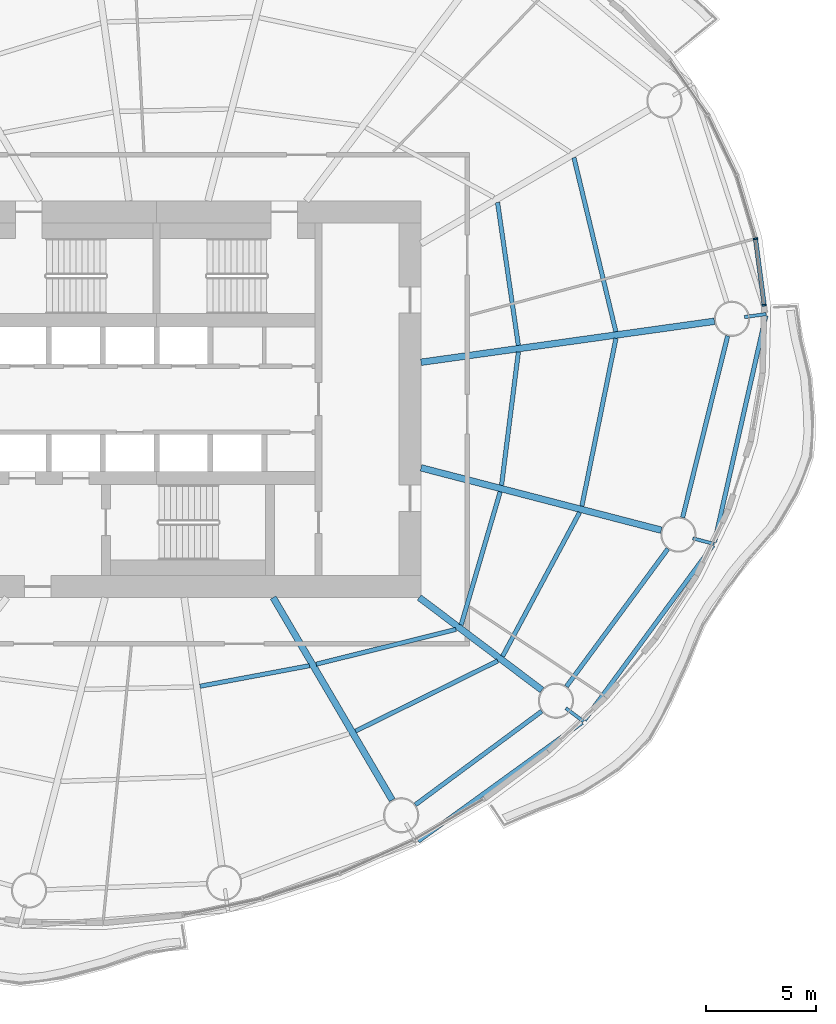
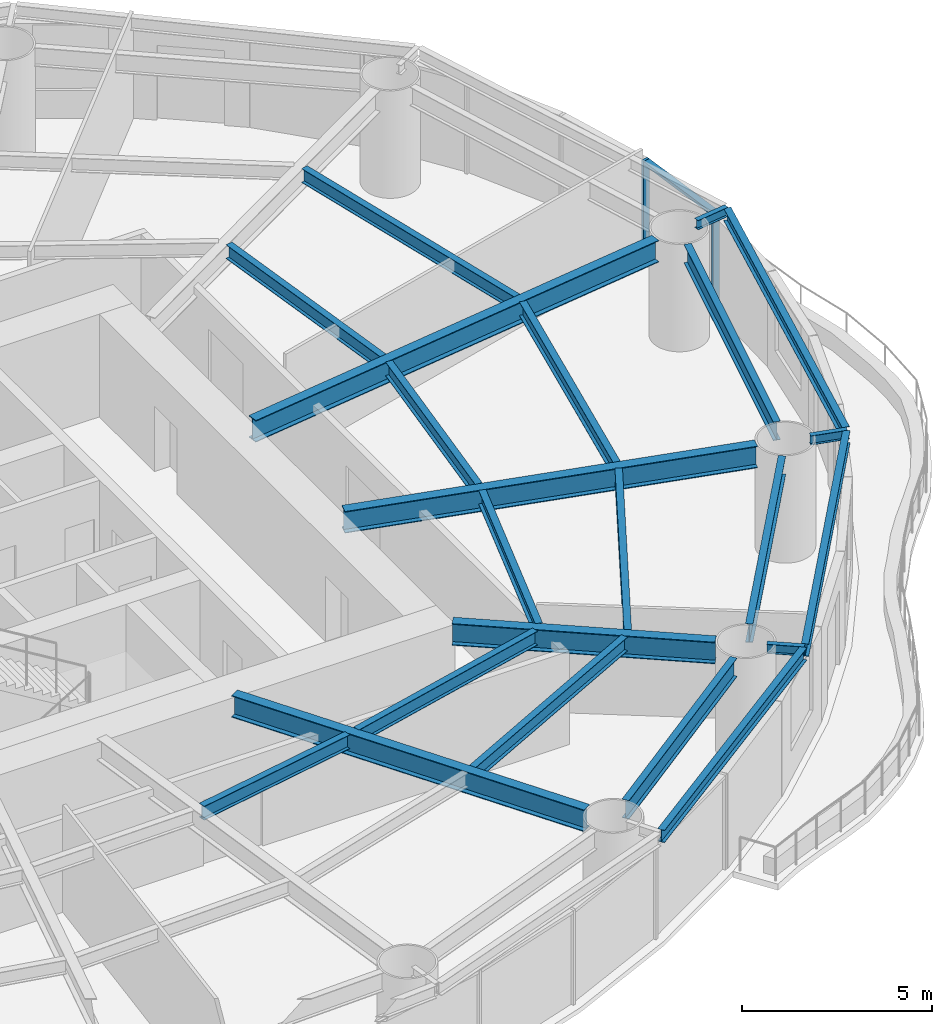
# One storey, part 4 of 14: 22 beams, 3 members, 2 elements without a shape of their own.
"""IFC4 building model written with IfcOpenShell, lengths in metres."""

import ifcopenshell
import ifcopenshell.guid

model = None  # the IFC model being written
_history = None  # IfcOwnerHistory: only IFC2X3 demands one
_inside = {}  # id of a spatial element -> (the spatial element, [elements in it])
_under = {}  # id of a project, library or spatial element -> (it, [spatial elements below it])
_declared = {}  # id of a project -> (the project, [libraries it declares])
_typed = {}  # id of a type object -> (the type object, [elements of that type])
_made_of = {}  # id of a material, layer set ... -> (it, [elements and type objects made of it])


def new_model(schema):
    """Start an empty IFC model of exactly this schema.

    Asked for "IFC4X3", IfcOpenShell would pick the latest addendum, in which some entities
    have other attributes; the version numbers below select the first issue.
    IFC2X3 requires an IfcOwnerHistory on every rooted entity: one is made here for all.
    """
    global model, _history
    if schema == "IFC4X3":
        model = ifcopenshell.file(schema_version=(4, 3, 0, 0))
    else:
        model = ifcopenshell.file(schema=schema)
    _inside.clear()
    _under.clear()
    _declared.clear()
    _typed.clear()
    _made_of.clear()
    _history = None
    if model.schema == "IFC2X3":
        org = make("IfcOrganization", Name="unknown")
        user = make(
            "IfcPersonAndOrganization",
            ThePerson=make("IfcPerson", FamilyName="unknown"),
            TheOrganization=org,
        )
        app = make(
            "IfcApplication",
            ApplicationDeveloper=org,
            Version="unknown",
            ApplicationFullName="unknown",
            ApplicationIdentifier="unknown",
        )
        _history = make(
            "IfcOwnerHistory",
            OwningUser=user,
            OwningApplication=app,
            ChangeAction="ADDED",
            CreationDate=0,
        )
    return model


def make(cls, **values):
    """One entity of the class cls with the attributes given. An attribute that is None is left unset."""
    return model.create_entity(
        cls, **{name: value for name, value in values.items() if value is not None}
    )


def rooted(cls, **values):
    """An entity with a GlobalId (a new one), such as an element, a storey or a relation."""
    return make(cls, GlobalId=ifcopenshell.guid.new(), OwnerHistory=_history, **values)


def si_unit(unit_type, name, prefix=None):
    """IfcSIUnit, for example si_unit("LENGTHUNIT", "METRE", prefix="MILLI")."""
    return make("IfcSIUnit", UnitType=unit_type, Prefix=prefix, Name=name)


def assignment(units):
    """IfcUnitAssignment: the units of a project."""
    return None if units is None else make("IfcUnitAssignment", Units=units)


def point(xyz):
    """IfcCartesianPoint."""
    return None if xyz is None else make("IfcCartesianPoint", Coordinates=xyz)


def direction(xyz):
    """IfcDirection."""
    return None if xyz is None else make("IfcDirection", DirectionRatios=xyz)


def frame(location, z_axis=None, x_axis=None):
    """IfcAxis2Placement3D, a coordinate frame: its origin and axes. An axis left out is left unset."""
    return make(
        "IfcAxis2Placement3D",
        Location=point(location),
        Axis=direction(z_axis),
        RefDirection=direction(x_axis),
    )


def frame_2d(location, x_axis=None):
    """IfcAxis2Placement2D, a coordinate frame in the plane: its origin and x axis."""
    return make(
        "IfcAxis2Placement2D", Location=point(location), RefDirection=direction(x_axis)
    )


def origin():
    """The frame at (0, 0, 0) with its axes left unset."""
    return frame((0.0, 0.0, 0.0))


def origin_2d():
    """The frame at (0, 0) in the plane with its x axis left unset."""
    return frame_2d((0.0, 0.0))


def place(relative_to, where):
    """IfcLocalPlacement: puts the frame where relative to a parent placement (None: the world)."""
    return make(
        "IfcLocalPlacement", PlacementRelTo=relative_to, RelativePlacement=where
    )


def context(
    kind, dimensions, precision=None, world=None, true_north=None, identifier=None
):
    """IfcGeometricRepresentationContext, for example the 3D "Model" context."""
    return make(
        "IfcGeometricRepresentationContext",
        ContextIdentifier=identifier,
        ContextType=kind,
        CoordinateSpaceDimension=dimensions,
        Precision=precision,
        WorldCoordinateSystem=world,
        TrueNorth=true_north,
    )


def subcontext(parent, identifier, kind, view, scale=None):
    """IfcGeometricRepresentationSubContext, for example "Body" below "Model"."""
    return make(
        "IfcGeometricRepresentationSubContext",
        ContextIdentifier=identifier,
        ContextType=kind,
        ParentContext=parent,
        TargetScale=scale,
        TargetView=view,
    )


def project(units=None, contexts=None):
    """IfcProject with its units and contexts."""
    return rooted(
        "IfcProject",
        Name="project",
        RepresentationContexts=contexts,
        UnitsInContext=assignment(units),
    )


def spatial(cls, under=None, at=None, **own):
    """A site, building, storey or space (cls), placed at a placement, below another one or the project."""
    s = rooted(cls, ObjectPlacement=at, **own)
    if under is not None:
        _under.setdefault(under.id(), (under, []))[1].append(s)
    return s


def profile(cls, at=None, kind="AREA", **sizes):
    """A parametric profile (cls). Its sizes go by their IFC names, for example OverallWidth=200.0."""
    return make(cls, ProfileType=kind, Position=at, **sizes)


def rectangle(**sizes):
    """IfcRectangleProfileDef."""
    return profile("IfcRectangleProfileDef", **sizes)


def i_section(**sizes):
    """IfcIShapeProfileDef."""
    return profile("IfcIShapeProfileDef", **sizes)


def extrude(swept, where, along, depth):
    """IfcExtrudedAreaSolid: the profile swept, set in the frame where, extruded along a direction by depth."""
    return make(
        "IfcExtrudedAreaSolid",
        SweptArea=swept,
        Position=where,
        ExtrudedDirection=direction(along),
        Depth=depth,
    )


def shape(context_of_items, identifier, shape_type, items):
    """IfcShapeRepresentation: the items that make up one representation, for example the "Body"."""
    return make(
        "IfcShapeRepresentation",
        ContextOfItems=context_of_items,
        RepresentationIdentifier=identifier,
        RepresentationType=shape_type,
        Items=items,
    )


def material(Name=None, Category=None):
    """IfcMaterial."""
    return make("IfcMaterial", Name=Name, Category=Category)


def material_profile(
    of_material, cross_section, Name=None, Category=None, Priority=None
):
    """IfcMaterialProfile: a cross section and its material."""
    return make(
        "IfcMaterialProfile",
        Name=Name,
        Material=of_material,
        Profile=cross_section,
        Priority=Priority,
        Category=Category,
    )


def profile_set(profiles, Name=None, composite=None):
    """IfcMaterialProfileSet."""
    return make(
        "IfcMaterialProfileSet",
        Name=Name,
        MaterialProfiles=profiles,
        CompositeProfile=composite,
    )


def made_of(thing, what):
    """Note that an element or type object is made of a material, layer set ...; save() writes the relation."""
    if what is not None:
        _made_of.setdefault(what.id(), (what, []))[1].append(thing)
    return thing


def type_object(cls, material=None, **own):
    """A type object (cls), such as IfcWallType, which elements share."""
    return made_of(rooted(cls, **own), material)


def element(
    cls,
    number,
    at=None,
    inside=None,
    cuts=None,
    type_object=None,
    material=None,
    context=None,
    identifier="Body",
    shape_type=None,
    held_by="IfcProductDefinitionShape",
    body=None,
    shapes=None,
    **own,
):
    """One element of the class cls, such as IfcWall. Its Tag is "e" and its number.

    at: its placement. inside: the storey or other place that contains it. cuts: it is an
    opening in that element (IfcRelVoidsElement). A single representation is given by context,
    identifier, shape_type and body (its items); several are given by shapes. held_by: the class
    of the entity that holds the representations. save() writes the other relations.
    """
    e = rooted(cls, Tag="e%d" % number, ObjectPlacement=at, **own)
    if body is not None:
        shapes = [shape(context, identifier, shape_type, body)]
    if shapes is not None:
        e.Representation = make(held_by, Representations=shapes)
    if inside is not None:
        _inside.setdefault(inside.id(), (inside, []))[1].append(e)
    if cuts is not None:
        rooted(
            "IfcRelVoidsElement", RelatingBuildingElement=cuts, RelatedOpeningElement=e
        )
    if type_object is not None:
        _typed.setdefault(type_object.id(), (type_object, []))[1].append(e)
    return made_of(e, material)


def aggregate(whole, parts):
    """IfcRelAggregates: a whole, such as a stair, and the parts it consists of."""
    return rooted("IfcRelAggregates", RelatingObject=whole, RelatedObjects=parts)


def save(model, path):
    """Write the relations noted so far, then the file.

    IfcRelAggregates (storeys below a building ...), IfcRelContainedInSpatialStructure (elements
    in a storey), IfcRelDefinesByType, IfcRelAssociatesMaterial and IfcRelDeclares: one each for
    every whole, place, type object, material and project.
    """
    for whole, parts in _under.values():
        aggregate(whole, parts)
    for where, things in _inside.values():
        rooted(
            "IfcRelContainedInSpatialStructure",
            RelatedElements=things,
            RelatingStructure=where,
        )
    for kind, things in _typed.values():
        rooted("IfcRelDefinesByType", RelatedObjects=things, RelatingType=kind)
    for what, things in _made_of.values():
        rooted("IfcRelAssociatesMaterial", RelatedObjects=things, RelatingMaterial=what)
    for by, libraries in _declared.values():
        rooted("IfcRelDeclares", RelatingContext=by, RelatedDefinitions=libraries)
    model.write(path)


model = new_model("IFC4")

# Units and contexts
model_context = context("Model", 3, precision=1e-05, world=origin(), true_north=direction((0.0, 1.0)))
body_context = subcontext(model_context, "Body", "Model", "MODEL_VIEW")
ifc_project = project(units=[si_unit("LENGTHUNIT", "METRE"), si_unit("AREAUNIT", "SQUARE_METRE"), si_unit("VOLUMEUNIT", "CUBIC_METRE"), si_unit("PLANEANGLEUNIT", "RADIAN"), si_unit("MASSUNIT", "GRAM", prefix="KILO")], contexts=[model_context])

# Site, building, storey
site_placement = place(None, origin())
site = spatial("IfcSite", under=ifc_project, at=site_placement, CompositionType="ELEMENT")
building_placement = place(site_placement, origin())
building = spatial("IfcBuilding", under=site, at=building_placement, Name="Vermilion Reach Broadcast Tower", CompositionType="ELEMENT")
storey_placement = place(building_placement, frame((0.0, 0.0, 117.39990234375)))
storey = spatial("IfcBuildingStorey", under=building, at=storey_placement, Name="L27", CompositionType="ELEMENT", Elevation=117.39990234375)

# Beams
ifc_material_1 = material(Name="Steel S355J2", Category="steel")
ifc_material_profile_1 = material_profile(ifc_material_1, i_section(OverallWidth=0.199951171875, OverallDepth=0.39990234375, WebThickness=0.008056640625, FlangeThickness=0.012939453125, at=origin_2d()), Name="S355J2 HN 400x200x8x13")
ifc_profile_set_1 = profile_set([ifc_material_profile_1], Name="Steel S355J2")
beam_type_1 = type_object("IfcBeamType", Name="EB2 HN 400x200x8x13", PredefinedType="BEAM", material=ifc_profile_set_1)
beam_1_placement = place(storey_placement, frame((5.874755859375, -20.051513671875, 3.25), z_axis=(0.810003127227, 0.586425556983, 0.0), x_axis=(-0.586425556983, 0.810003127227, 0.0)))
element("IfcBeam", 1, at=beam_1_placement, inside=storey, type_object=beam_type_1, Name="Edge beam EB2-13", PredefinedType="BEAM", context=body_context, shape_type="SweptSolid", body=[
    extrude(i_section(OverallWidth=0.199951171875, OverallDepth=0.39990234375, WebThickness=0.008056640625, FlangeThickness=0.012939453125, at=origin_2d()), origin(), (0.0, 0.0, 1.0), 9.177001953125),
])
beam_2_placement = place(storey_placement, frame((13.416015625, -14.563720703125, 3.25), z_axis=(0.59256035005, 0.805526058888, 0.0), x_axis=(-0.805526058888, 0.59256035005, 0.0)))
element("IfcBeam", 2, at=beam_2_placement, inside=storey, type_object=beam_type_1, Name="Edge beam EB2-14", PredefinedType="BEAM", context=body_context, shape_type="SweptSolid", body=[
    extrude(i_section(OverallWidth=0.199951171875, OverallDepth=0.39990234375, WebThickness=0.008056640625, FlangeThickness=0.012939453125, at=origin_2d()), origin(), (0.0, 0.0, 1.0), 9.847412109375),
])
beam_3_placement = place(storey_placement, frame((19.315673828125, -6.4931640625, 3.25), z_axis=(0.221220599135, 0.975223793044, 0.0), x_axis=(-0.975223793044, 0.221220599135, 0.0)))
element("IfcBeam", 3, at=beam_3_placement, inside=storey, type_object=beam_type_1, Name="Edge beam EB2-15", PredefinedType="BEAM", context=body_context, shape_type="SweptSolid", body=[
    extrude(i_section(OverallWidth=0.199951171875, OverallDepth=0.39990234375, WebThickness=0.008056640625, FlangeThickness=0.012939453125, at=origin_2d()), origin(), (0.0, 0.0, 1.0), 10.53955078125),
])
ifc_material_2 = material(Name="Steel S355J2", Category="steel")
ifc_material_profile_2 = material_profile(ifc_material_2, i_section(OverallWidth=0.300048828125, OverallDepth=0.699951171875, WebThickness=0.012939453125, FlangeThickness=0.02392578125, at=origin_2d()), Name="S355J2 HN 700x300x13x24")
ifc_profile_set_2 = profile_set([ifc_material_profile_2], Name="Steel S355J2")
beam_type_2 = type_object("IfcBeamType", Name="G2 HN 700x300x13x24", PredefinedType="BEAM", material=ifc_profile_set_2)
beam_4_placement = place(storey_placement, frame((-0.709228515625, -9.0, 3.10009765625), z_axis=(0.506783943634, -0.862073102744, 0.0), x_axis=(0.862073102744, 0.506783943634, 0.0)))
element("IfcBeam", 4, at=beam_4_placement, inside=storey, type_object=beam_type_2, Name="Girder G2-13", PredefinedType="BEAM", context=body_context, shape_type="SweptSolid", body=[
    extrude(i_section(OverallWidth=0.300048828125, OverallDepth=0.699951171875, WebThickness=0.012939453125, FlangeThickness=0.02392578125, at=origin_2d()), origin(), (0.0, 0.0, 1.0), 10.661865234375),
])
beam_5_placement = place(storey_placement, frame((5.921630859375, -9.0, 3.10009765625), z_axis=(0.798113534072, -0.602507084382, 0.0), x_axis=(0.602507084382, 0.798113534072, 0.0)))
element("IfcBeam", 5, at=beam_5_placement, inside=storey, type_object=beam_type_2, Name="Girder G2-14", PredefinedType="BEAM", context=body_context, shape_type="SweptSolid", body=[
    extrude(i_section(OverallWidth=0.300048828125, OverallDepth=0.699951171875, WebThickness=0.012939453125, FlangeThickness=0.02392578125, at=origin_2d()), origin(), (0.0, 0.0, 1.0), 6.971923828125),
])
beam_6_placement = place(storey_placement, frame((6.0, -3.114501953125, 3.10009765625), z_axis=(0.967926079816, -0.2512351568, 0.0), x_axis=(0.2512351568, 0.967926079816, 0.0)))
element("IfcBeam", 6, at=beam_6_placement, inside=storey, type_object=beam_type_2, Name="Girder G2-15", PredefinedType="BEAM", context=body_context, shape_type="SweptSolid", body=[
    extrude(i_section(OverallWidth=0.300048828125, OverallDepth=0.699951171875, WebThickness=0.012939453125, FlangeThickness=0.02392578125, at=origin_2d()), origin(), (0.0, 0.0, 1.0), 11.265625),
])
beam_7_placement = place(storey_placement, frame((6.0, 1.67578125, 3.10009765625), z_axis=(0.990389457618, 0.138306623986, 0.0), x_axis=(-0.138306623986, 0.990389457618, 0.0)))
element("IfcBeam", 7, at=beam_7_placement, inside=storey, type_object=beam_type_2, Name="Girder G2-16", PredefinedType="BEAM", context=body_context, shape_type="SweptSolid", body=[
    extrude(i_section(OverallWidth=0.300048828125, OverallDepth=0.699951171875, WebThickness=0.012939453125, FlangeThickness=0.02392578125, at=origin_2d()), origin(), (0.0, 0.0, 1.0), 13.445556640625),
])
ifc_material_3 = material(Name="Steel S355J2", Category="steel")
ifc_material_profile_3 = material_profile(ifc_material_3, i_section(OverallWidth=0.14990234375, OverallDepth=0.300048828125, WebThickness=0.006591796875, FlangeThickness=0.009033203125, at=origin_2d()), Name="S355J2 HN 300x150x6.5x9")
ifc_profile_set_3 = profile_set([ifc_material_profile_3], Name="Steel S355J2")
beam_type_3 = type_object("IfcBeamType", Name="GS2 HN 300x150x6.5x9", PredefinedType="BEAM", material=ifc_profile_set_3)
for number, where, z_axis, x_axis, name in (
    (8, (12.573486328125, -14.021484375, 3.300048828125), (0.798091683473, -0.602536027779, 0.0), (0.602536027779, 0.798091683473, 0.0), "Cantilever stub GS2-14"),
    (9, (18.3310546875, -6.315185546875, 3.300048828125), (0.967935368459, -0.251199368006, 0.0), (0.251199368006, 0.967935368459, 0.0), "Cantilever stub GS2-15"),
):
    element("IfcBeam", number, at=place(storey_placement, frame(where, z_axis=z_axis, x_axis=x_axis)), inside=storey, type_object=beam_type_3, Name=name, PredefinedType="BEAM", context=body_context, shape_type="SweptSolid", body=[
        extrude(i_section(OverallWidth=0.14990234375, OverallDepth=0.300048828125, WebThickness=0.006591796875, FlangeThickness=0.009033203125, at=origin_2d()), origin(), (0.0, 0.0, 1.0), 1.0),
    ])
beam_8_placement = place(storey_placement, frame((20.674560546875, 3.72509765625, 3.300048828125), z_axis=(0.990369889118, 0.138446678286, 0.0), x_axis=(-0.138446678286, 0.990369889118, 0.0)))
element("IfcBeam", 10, at=beam_8_placement, inside=storey, type_object=beam_type_3, Name="Cantilever stub GS2-16", PredefinedType="BEAM", context=body_context, shape_type="SweptSolid", body=[
    extrude(i_section(OverallWidth=0.14990234375, OverallDepth=0.300048828125, WebThickness=0.006591796875, FlangeThickness=0.009033203125, at=origin_2d()), origin(), (0.0, 0.0, 1.0), 0.999755859375),
])
ifc_material_4 = material(Name="Steel S355J2", Category="steel")
ifc_material_profile_4 = material_profile(ifc_material_4, i_section(OverallWidth=0.199951171875, OverallDepth=0.60009765625, WebThickness=0.010986328125, FlangeThickness=0.01708984375, at=origin_2d()), Name="S355J2 HN 600x200x11x17")
ifc_profile_set_4 = profile_set([ifc_material_profile_4], Name="Steel S355J2")
beam_type_4 = type_object("IfcBeamType", Name="RB2 HN 600x200x11x17", PredefinedType="BEAM", material=ifc_profile_set_4)
beam_9_placement = place(storey_placement, frame((5.74267578125, -18.4052734375, 3.150146484375), z_axis=(0.803832742218, 0.594855379515, 0.0), x_axis=(-0.594855379515, 0.803832742218, 0.0)))
element("IfcBeam", 11, at=beam_9_placement, inside=storey, type_object=beam_type_4, Name="Ring beam RB2-13", PredefinedType="BEAM", context=body_context, shape_type="SweptSolid", body=[
    extrude(i_section(OverallWidth=0.199951171875, OverallDepth=0.60009765625, WebThickness=0.010986328125, FlangeThickness=0.01708984375, at=origin_2d()), origin(), (0.0, 0.0, 1.0), 7.13916015625),
])
beam_10_placement = place(storey_placement, frame((12.59912109375, -13.03857421875, 3.150146484375), z_axis=(0.593250534798, 0.80501788984, 0.0), x_axis=(-0.80501788984, 0.593250534798, 0.0)))
element("IfcBeam", 12, at=beam_10_placement, inside=storey, type_object=beam_type_4, Name="Ring beam RB2-14", PredefinedType="BEAM", context=body_context, shape_type="SweptSolid", body=[
    extrude(i_section(OverallWidth=0.199951171875, OverallDepth=0.60009765625, WebThickness=0.010986328125, FlangeThickness=0.01708984375, at=origin_2d()), origin(), (0.0, 0.0, 1.0), 7.76220703125),
])
beam_11_placement = place(storey_placement, frame((17.871337890625, -5.369384765625, 3.150146484375), z_axis=(0.240863809798, 0.970558924089, 0.0), x_axis=(-0.970558924089, 0.240863809798, 0.0)))
element("IfcBeam", 13, at=beam_11_placement, inside=storey, type_object=beam_type_4, Name="Ring beam RB2-15", PredefinedType="BEAM", context=body_context, shape_type="SweptSolid", body=[
    extrude(i_section(OverallWidth=0.199951171875, OverallDepth=0.60009765625, WebThickness=0.010986328125, FlangeThickness=0.01708984375, at=origin_2d()), origin(), (0.0, 0.0, 1.0), 8.489013671875),
])
ifc_material_5 = material(Name="Steel S355J2", Category="steel")
ifc_material_profile_5 = material_profile(ifc_material_5, i_section(OverallWidth=0.199951171875, OverallDepth=0.449951171875, WebThickness=0.009033203125, FlangeThickness=0.013916015625, at=origin_2d()), Name="S355J2 HN 450x200x9x14")
ifc_profile_set_5 = profile_set([ifc_material_profile_5], Name="Steel S355J2")
beam_type_5 = type_object("IfcBeamType", Name="SB2 HN 450x200x9x14", PredefinedType="BEAM", material=ifc_profile_set_5)
beam_12_placement = place(storey_placement, frame((-4.029296875, -13.026611328125, 3.22509765625), z_axis=(0.982782890015, 0.184764149915, 0.0), x_axis=(-0.184764149915, 0.982782890015, 0.0)))
element("IfcBeam", 14, at=beam_12_placement, inside=storey, type_object=beam_type_5, Name="Secondary beam SB2-12-1", PredefinedType="BEAM", context=body_context, shape_type="SweptSolid", body=[
    extrude(i_section(OverallWidth=0.199951171875, OverallDepth=0.449951171875, WebThickness=0.009033203125, FlangeThickness=0.013916015625, at=origin_2d()), origin(), (0.0, 0.0, 1.0), 5.051513671875),
])
beam_13_placement = place(storey_placement, frame((1.24365234375, -12.026123046875, 3.22509765625), z_axis=(0.970396717612, 0.241516480695, 0.0), x_axis=(-0.241516480695, 0.970396717612, 0.0)))
element("IfcBeam", 15, at=beam_13_placement, inside=storey, type_object=beam_type_5, Name="Secondary beam SB2-13-1", PredefinedType="BEAM", context=body_context, shape_type="SweptSolid", body=[
    extrude(i_section(OverallWidth=0.199951171875, OverallDepth=0.449951171875, WebThickness=0.009033203125, FlangeThickness=0.013916015625, at=origin_2d()), origin(), (0.0, 0.0, 1.0), 6.539306640625),
])
beam_14_placement = place(storey_placement, frame((3.02783203125, -15.06103515625, 3.22509765625), z_axis=(0.896648255868, 0.442743611189, 0.0), x_axis=(-0.442743611189, 0.896648255868, 0.0)))
element("IfcBeam", 16, at=beam_14_placement, inside=storey, type_object=beam_type_5, Name="Secondary beam SB2-13-2", PredefinedType="BEAM", context=body_context, shape_type="SweptSolid", body=[
    extrude(i_section(OverallWidth=0.199951171875, OverallDepth=0.449951171875, WebThickness=0.009033203125, FlangeThickness=0.013916015625, at=origin_2d()), origin(), (0.0, 0.0, 1.0), 7.19677734375),
])
beam_15_placement = place(storey_placement, frame((7.821533203125, -10.246337890625, 3.22509765625), z_axis=(0.281175657723, 0.959656318431, 0.0), x_axis=(-0.959656318431, 0.281175657723, 0.0)))
element("IfcBeam", 17, at=beam_15_placement, inside=storey, type_object=beam_type_5, Name="Secondary beam SB2-14-1", PredefinedType="BEAM", context=body_context, shape_type="SweptSolid", body=[
    extrude(i_section(OverallWidth=0.199951171875, OverallDepth=0.449951171875, WebThickness=0.009033203125, FlangeThickness=0.013916015625, at=origin_2d()), origin(), (0.0, 0.0, 1.0), 6.298583984375),
])
beam_16_placement = place(storey_placement, frame((9.702880859375, -11.66650390625, 3.22509765625), z_axis=(0.471821551693, 0.881694064491, 0.0), x_axis=(-0.881694064491, 0.471821551693, 0.0)))
element("IfcBeam", 18, at=beam_16_placement, inside=storey, type_object=beam_type_5, Name="Secondary beam SB2-14-2", PredefinedType="BEAM", context=body_context, shape_type="SweptSolid", body=[
    extrude(i_section(OverallWidth=0.199951171875, OverallDepth=0.449951171875, WebThickness=0.009033203125, FlangeThickness=0.013916015625, at=origin_2d()), origin(), (0.0, 0.0, 1.0), 7.405029296875),
])
beam_17_placement = place(storey_placement, frame((9.65380859375, -3.907958984375, 3.22509765625), z_axis=(0.125557241128, 0.992086376885, 0.0), x_axis=(-0.992086376885, 0.125557241128, 0.0)))
element("IfcBeam", 19, at=beam_17_placement, inside=storey, type_object=beam_type_5, Name="Secondary beam SB2-15-1", PredefinedType="BEAM", context=body_context, shape_type="SweptSolid", body=[
    extrude(i_section(OverallWidth=0.199951171875, OverallDepth=0.449951171875, WebThickness=0.009033203125, FlangeThickness=0.013916015625, at=origin_2d()), origin(), (0.0, 0.0, 1.0), 6.097900390625),
])
beam_18_placement = place(storey_placement, frame((13.29931640625, -4.854248046875, 3.22509765625), z_axis=(0.19906416804, 0.979986457561, 0.0), x_axis=(-0.979986457561, 0.19906416804, 0.0)))
element("IfcBeam", 20, at=beam_18_placement, inside=storey, type_object=beam_type_5, Name="Secondary beam SB2-15-2", PredefinedType="BEAM", context=body_context, shape_type="SweptSolid", body=[
    extrude(i_section(OverallWidth=0.199951171875, OverallDepth=0.449951171875, WebThickness=0.009033203125, FlangeThickness=0.013916015625, at=origin_2d()), origin(), (0.0, 0.0, 1.0), 7.76953125),
])
beam_19_placement = place(storey_placement, frame((10.417236328125, 2.444091796875, 3.22509765625), z_axis=(-0.143973706518, 0.989581513485, 0.0), x_axis=(-0.989581513485, -0.143973706518, 0.0)))
element("IfcBeam", 21, at=beam_19_placement, inside=storey, type_object=beam_type_5, Name="Secondary beam SB2-16-1", PredefinedType="BEAM", context=body_context, shape_type="SweptSolid", body=[
    extrude(i_section(OverallWidth=0.199951171875, OverallDepth=0.449951171875, WebThickness=0.009033203125, FlangeThickness=0.013916015625, at=origin_2d()), origin(), (0.0, 0.0, 1.0), 6.547119140625),
])
beam_20_placement = place(storey_placement, frame((14.84228515625, 3.06201171875, 3.22509765625), z_axis=(-0.234260568382, 0.972173845617, 0.0), x_axis=(-0.972173845617, -0.234260568382, 0.0)))
element("IfcBeam", 22, at=beam_20_placement, inside=storey, type_object=beam_type_5, Name="Secondary beam SB2-16-2", PredefinedType="BEAM", context=body_context, shape_type="SweptSolid", body=[
    extrude(i_section(OverallWidth=0.199951171875, OverallDepth=0.449951171875, WebThickness=0.009033203125, FlangeThickness=0.013916015625, at=origin_2d()), origin(), (0.0, 0.0, 1.0), 8.123779296875),
])

# Curtain wall, member
ifc_material_6 = material(Name="Low-e laminated clear glass in aluminium frame", Category="aluminium")
curtain_wall_type = type_object("IfcCurtainWallType", Name="Slot curtain wall", PredefinedType="NOTDEFINED", material=ifc_material_6)
placement = place(storey_placement, origin())
curtain_wall_1 = element("IfcCurtainWall", 23, at=placement, inside=storey, type_object=curtain_wall_type, Name="Slot curtain wall L27 46", PredefinedType="NOTDEFINED")
ifc_material_7 = material(Name="Anodised aluminium", Category="aluminium")
ifc_material_profile_6 = material_profile(ifc_material_7, rectangle(XDim=0.199951171875, YDim=0.080078125, at=origin_2d()), Name="Slot mullion 80 x 200")
ifc_profile_set_6 = profile_set([ifc_material_profile_6], Name="Anodised aluminium")
member_type_1 = type_object("IfcMemberType", Name="Slot mullion 80 x 200", PredefinedType="MULLION", material=ifc_profile_set_6)
member_1_placement = place(storey_placement, frame((21.572998046875, 4.267333984375, 0.0), z_axis=(0.0, 0.0, 1.0), x_axis=(-0.998586674209, -0.053147474933, 0.0)))
member_1 = element("IfcMember", 24, at=member_1_placement, type_object=member_type_1, Name="Slot mullion L27 46", PredefinedType="MULLION", context=body_context, shape_type="SweptSolid", body=[
    extrude(rectangle(XDim=0.199951171875, YDim=0.080078125, at=origin_2d()), origin(), (0.0, 0.0, 1.0), 3.050048828125),
])

curtain_wall_2 = element("IfcCurtainWall", 25, at=placement, inside=storey, type_object=curtain_wall_type, Name="Slot curtain wall L27 47", PredefinedType="NOTDEFINED")
member_2_placement = place(storey_placement, frame((21.177734375, 7.279296875, 0.0), z_axis=(0.0, 0.0, 1.0), x_axis=(-0.978107214724, -0.208101601397, 0.0)))
member_2 = element("IfcMember", 26, at=member_2_placement, type_object=member_type_1, Name="Slot mullion L27 47", PredefinedType="MULLION", context=body_context, shape_type="SweptSolid", body=[
    extrude(rectangle(XDim=0.199951171875, YDim=0.080078125, at=origin_2d()), origin(), (0.0, 0.0, 1.0), 3.050048828125),
])
aggregate(curtain_wall_2, [member_2])

# Member
ifc_material_8 = material(Name="Anodised aluminium", Category="aluminium")
ifc_material_profile_7 = material_profile(ifc_material_8, rectangle(XDim=0.199951171875, YDim=0.10009765625, at=origin_2d()), Name="Slot transom 200 x 100")
ifc_profile_set_7 = profile_set([ifc_material_profile_7], Name="Anodised aluminium")
member_type_2 = type_object("IfcMemberType", Name="Slot transom 200 x 100", PredefinedType="USERDEFINED", material=ifc_profile_set_7)
member_3_placement = place(storey_placement, frame((21.567626953125, 4.306884765625, 3.0), z_axis=(-0.130076602098, 0.991503947338, 0.0), x_axis=(-0.991503947338, -0.130076602098, 0.0)))
member_3 = element("IfcMember", 27, at=member_3_placement, type_object=member_type_2, Name="Slot transom L27 46.1", ObjectType="TRANSOM", PredefinedType="USERDEFINED", context=body_context, shape_type="SweptSolid", body=[
    extrude(rectangle(XDim=0.199951171875, YDim=0.10009765625, at=origin_2d()), origin(), (0.0, 0.0, 1.0), 2.9580078125),
])

aggregate(curtain_wall_1, [member_1, member_3])

save(model, "model.ifc")
